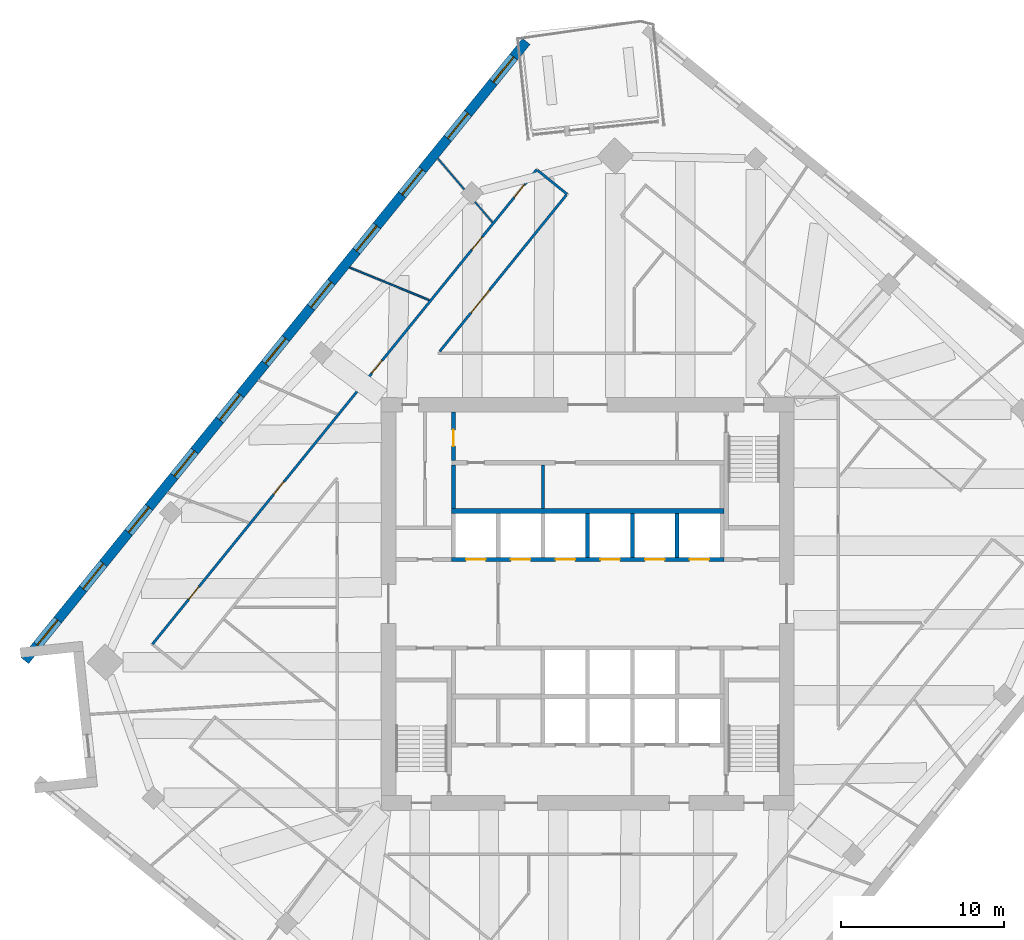
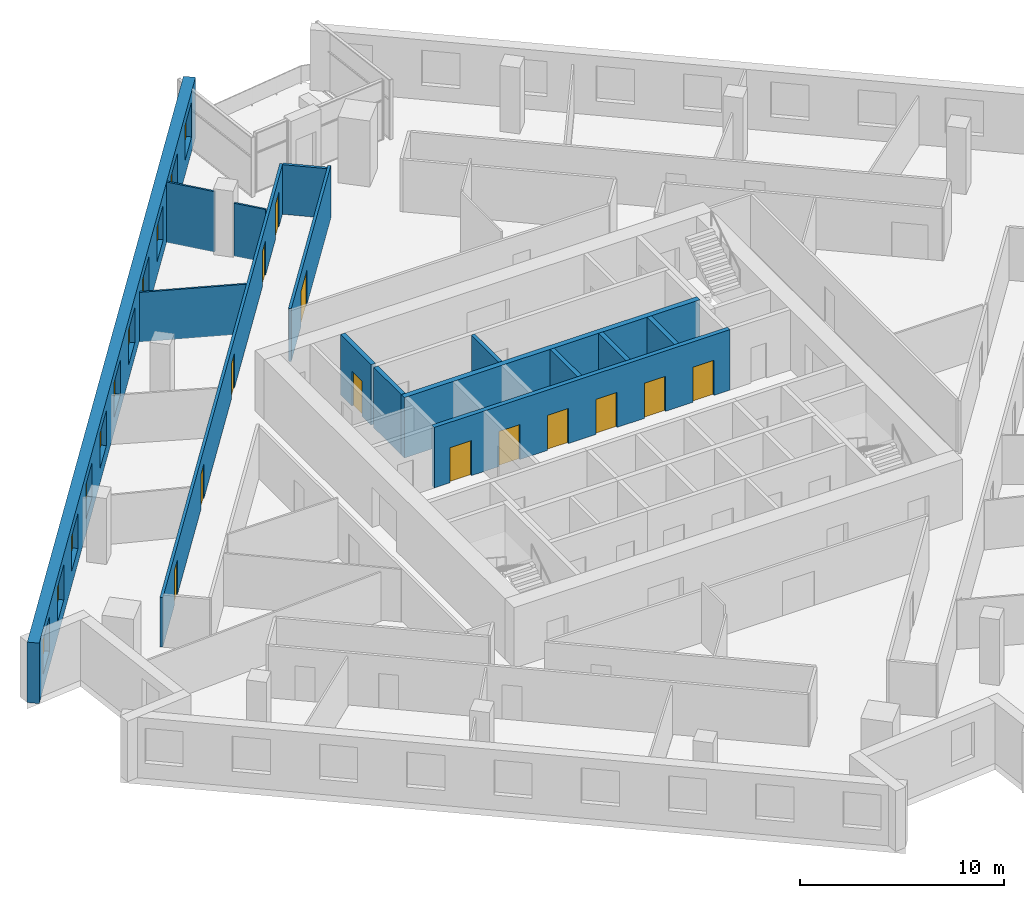
# One storey, part 10 of 14: 15 walls, 13 doors, 11 windows, 24 openings.
"""IFC4 building model written with IfcOpenShell, lengths in metres."""

from ifc_helpers import new_model, si_unit, direction, frame, frame_2d, origin, place, context, subcontext, project, spatial, rectangle, extrude, material, layer, layer_set, type_object, element, fill, save


model = new_model("IFC4")

# Units and contexts
model_context = context("Model", 3, precision=1e-05, world=origin(), true_north=direction((0.0, 1.0)))
body_context = subcontext(model_context, "Body", "Model", "MODEL_VIEW")
ifc_project = project(units=[si_unit("LENGTHUNIT", "METRE"), si_unit("AREAUNIT", "SQUARE_METRE"), si_unit("VOLUMEUNIT", "CUBIC_METRE"), si_unit("PLANEANGLEUNIT", "RADIAN"), si_unit("MASSUNIT", "GRAM", prefix="KILO")], contexts=[model_context])

# Site, building, storey
site_placement = place(None, origin())
site = spatial("IfcSite", under=ifc_project, at=site_placement, CompositionType="ELEMENT")
building_placement = place(site_placement, origin())
building = spatial("IfcBuilding", under=site, at=building_placement, Name="Dilmun Exchange Tower", CompositionType="ELEMENT")
storey_placement = place(building_placement, frame((0.0, 0.0, 229.300048828125)))
storey = spatial("IfcBuildingStorey", under=building, at=storey_placement, Name="L54", CompositionType="ELEMENT", Elevation=229.300048828125)

# Walls
ifc_material_1 = material(Name="Concrete C40/50", Category="concrete")
ifc_layer_1 = layer(ifc_material_1, 0.199951171875)
ifc_layer_set_1 = layer_set([ifc_layer_1], Name="Concrete C40/50")
wall_type_1 = type_object("IfcWallType", Name="Core partition wall 200", PredefinedType="PARTITIONING", material=ifc_layer_set_1)
wall_1_placement = place(storey_placement, frame((-2.75, 5.85498046875, 0.0), z_axis=(0.0, 0.0, 1.0), x_axis=(0.0, 1.0, 0.0)))
element("IfcWall", 1, at=wall_1_placement, inside=storey, type_object=wall_type_1, Name="L54 core partition wall 16", PredefinedType="PARTITIONING", context=body_context, shape_type="SweptSolid", body=[
    extrude(rectangle(XDim=2.68994140625, YDim=0.199951171875, at=frame_2d((1.344970703125, 0.0))), origin(), (0.0, 0.0, 1.0), 3.619873046875),
])
ifc_layer_2 = layer(ifc_material_1, 0.25)
ifc_layer_set_2 = layer_set([ifc_layer_2], Name="Concrete C40/50")
wall_type_2 = type_object("IfcWallType", Name="Core partition wall 250", PredefinedType="PARTITIONING", material=ifc_layer_set_2)
wall_2_placement = place(storey_placement, frame((-8.25, 5.85498046875, 0.0), z_axis=(0.0, 0.0, 1.0), x_axis=(0.0, 1.0, 0.0)))
element("IfcWall", 2, at=wall_2_placement, inside=storey, type_object=wall_type_2, Name="L54 core partition wall 15", PredefinedType="PARTITIONING", context=body_context, shape_type="SweptSolid", body=[
    extrude(rectangle(XDim=2.68994140625, YDim=0.25, at=frame_2d((1.344970703125, 0.0))), origin(), (0.0, 0.0, 1.0), 3.619873046875),
])

# Wall, opening, door
wall_3_placement = place(storey_placement, frame((-8.25, 8.804931640625, 0.0), z_axis=(0.0, 0.0, 1.0), x_axis=(0.0, 1.0, 0.0)))
wall_3 = element("IfcWall", 3, at=wall_3_placement, inside=storey, type_object=wall_type_2, Name="L54 core partition wall 19", PredefinedType="PARTITIONING", context=body_context, shape_type="SweptSolid", body=[
    extrude(rectangle(XDim=2.989990234375, YDim=0.25, at=frame_2d((1.4951171875, 0.0))), origin(), (0.0, 0.0, 1.0), 3.619873046875),
])
opening_1_placement = place(wall_3_placement, frame((0.89501953125, 0.0, 0.0)))
opening_1 = element("IfcOpeningElement", 4, at=opening_1_placement, cuts=wall_3, Name="Opening CD4", PredefinedType="OPENING", context=body_context, shape_type="SweptSolid", body=[
    extrude(rectangle(XDim=1.0, YDim=2.10009765625, at=frame_2d((0.5, 1.050048828125))), frame((0.0, 0.135009765625, 0.0), z_axis=(0.0, -1.0, 0.0), x_axis=(1.0, 0.0, 0.0)), (0.0, 0.0, 1.0), 0.27001953125),
])
ifc_material_2 = material(Name="Fire-rated steel door set", Category="steel")
door_type_1 = type_object("IfcDoorType", Name="Core room door 1000x2100", OperationType="SINGLE_SWING_LEFT", PredefinedType="DOOR", material=ifc_material_2)
door_1_placement = place(opening_1_placement, origin())
door_1 = element("IfcDoor", 5, at=door_1_placement, inside=storey, type_object=door_type_1, Name="L54 door Security room", OperationType="SINGLE_SWING_LEFT", OverallHeight=2.10009765625, OverallWidth=1.0, PredefinedType="DOOR", context=body_context, shape_type="SweptSolid", body=[
    extrude(rectangle(XDim=1.0, YDim=2.10009765625, at=frame_2d((0.5, 1.050048828125))), frame((0.0, 0.02490234375, 0.0), z_axis=(0.0, -1.0, 0.0), x_axis=(1.0, 0.0, 0.0)), (0.0, 0.0, 1.0), 0.050048828125),
])
fill(opening_1, door_1)

# Wall, openings, doors
ifc_material_3 = material(Name="Corridor wall 150")
ifc_layer_3 = layer(ifc_material_3, 0.14990234375)
ifc_layer_set_3 = layer_set([ifc_layer_3], Name="Corridor wall 150")
wall_type_3 = type_object("IfcWallType", Name="Corridor wall 150", PredefinedType="PARTITIONING", material=ifc_layer_set_3)
wall_4_placement = place(storey_placement, frame((-26.76904296875, -2.487060546875, 0.0), z_axis=(0.0, 0.0, 1.0), x_axis=(0.629320703929, 0.777145708092, 0.0)))
wall_4 = element("IfcWall", 6, at=wall_4_placement, inside=storey, type_object=wall_type_3, Name="Corridor wall", PredefinedType="PARTITIONING", context=body_context, shape_type="SweptSolid", body=[
    extrude(rectangle(XDim=37.557861328125, YDim=0.14990234375, at=frame_2d((18.77880859375, 0.0))), origin(), (0.0, 0.0, 1.0), 2.969970703125),
])
opening_2_placement = place(wall_4_placement, frame((3.550048828125, 0.0, 0.0)))
opening_2 = element("IfcOpeningElement", 7, at=opening_2_placement, cuts=wall_4, Name="Opening TF53-D01", PredefinedType="OPENING", context=body_context, shape_type="SweptSolid", body=[
    extrude(rectangle(XDim=1.0, YDim=2.10009765625, at=frame_2d((0.5, 1.050048828125))), frame((0.0, 0.0849609375, 0.0), z_axis=(0.0, -1.0, 0.0), x_axis=(1.0, 0.0, 0.0)), (0.0, 0.0, 1.0), 0.169921875),
])
opening_3_placement = place(wall_4_placement, frame((11.86181640625, 0.0, 0.0)))
opening_3 = element("IfcOpeningElement", 8, at=opening_3_placement, cuts=wall_4, Name="Opening TF53-D04", PredefinedType="OPENING", context=body_context, shape_type="SweptSolid", body=[
    extrude(rectangle(XDim=1.0, YDim=2.10009765625, at=frame_2d((0.5, 1.050048828125))), frame((0.0, 0.0849609375, 0.0), z_axis=(0.0, -1.0, 0.0), x_axis=(1.0, 0.0, 0.0)), (0.0, 0.0, 1.0), 0.169921875),
])
opening_4_placement = place(wall_4_placement, frame((21.451904296875, 0.0, 0.0)))
opening_4 = element("IfcOpeningElement", 9, at=opening_4_placement, cuts=wall_4, Name="Opening TF53-D07", PredefinedType="OPENING", context=body_context, shape_type="SweptSolid", body=[
    extrude(rectangle(XDim=1.0, YDim=2.10009765625, at=frame_2d((0.5, 1.050048828125))), frame((0.0, 0.0849609375, 0.0), z_axis=(0.0, -1.0, 0.0), x_axis=(1.0, 0.0, 0.0)), (0.0, 0.0, 1.0), 0.169921875),
])
opening_5_placement = place(wall_4_placement, frame((31.223388671875, 0.0, 0.0)))
opening_5 = element("IfcOpeningElement", 10, at=opening_5_placement, cuts=wall_4, Name="Opening TF53-D09", PredefinedType="OPENING", context=body_context, shape_type="SweptSolid", body=[
    extrude(rectangle(XDim=1.0, YDim=2.10009765625, at=frame_2d((0.5, 1.050048828125))), frame((0.0, 0.0849609375, 0.0), z_axis=(0.0, -1.0, 0.0), x_axis=(1.0, 0.0, 0.0)), (0.0, 0.0, 1.0), 0.169921875),
])
opening_6_placement = place(wall_4_placement, frame((35.359375, 0.0, 0.0)))
opening_6 = element("IfcOpeningElement", 11, at=opening_6_placement, cuts=wall_4, Name="Opening TF53-D14", PredefinedType="OPENING", context=body_context, shape_type="SweptSolid", body=[
    extrude(rectangle(XDim=1.0, YDim=2.10009765625, at=frame_2d((0.5, 1.050048828125))), frame((0.0, 0.0849609375, 0.0), z_axis=(0.0, -1.0, 0.0), x_axis=(1.0, 0.0, 0.0)), (0.0, 0.0, 1.0), 0.169921875),
])
ifc_material_4 = material(Name="Fire door 1000 x 2100")
door_type_2 = type_object("IfcDoorType", Name="Fire door 1000 x 2100", OperationType="NOTDEFINED", PredefinedType="DOOR", material=ifc_material_4)
door_2_placement = place(opening_2_placement, origin())
door_2 = element("IfcDoor", 12, at=door_2_placement, inside=storey, type_object=door_type_2, Name="Door TF53-D01", OperationType="SINGLE_SWING_RIGHT", OverallHeight=2.10009765625, OverallWidth=1.0, PredefinedType="DOOR", context=body_context, shape_type="SweptSolid", body=[
    extrude(rectangle(XDim=1.0, YDim=2.10009765625, at=frame_2d((0.5, 1.050048828125))), frame((0.0, 0.02490234375, 0.0), z_axis=(0.0, -1.0, 0.0), x_axis=(1.0, 0.0, 0.0)), (0.0, 0.0, 1.0), 0.050048828125),
])
fill(opening_2, door_2)
door_3_placement = place(opening_3_placement, origin())
door_3 = element("IfcDoor", 13, at=door_3_placement, inside=storey, type_object=door_type_2, Name="Door TF53-D04", OperationType="SINGLE_SWING_LEFT", OverallHeight=2.10009765625, OverallWidth=1.0, PredefinedType="DOOR", context=body_context, shape_type="SweptSolid", body=[
    extrude(rectangle(XDim=1.0, YDim=2.10009765625, at=frame_2d((0.5, 1.050048828125))), frame((0.0, 0.02490234375, 0.0), z_axis=(0.0, -1.0, 0.0), x_axis=(1.0, 0.0, 0.0)), (0.0, 0.0, 1.0), 0.050048828125),
])
fill(opening_3, door_3)
door_4_placement = place(opening_4_placement, origin())
door_4 = element("IfcDoor", 14, at=door_4_placement, inside=storey, type_object=door_type_2, Name="Door TF53-D07", OperationType="SINGLE_SWING_RIGHT", OverallHeight=2.10009765625, OverallWidth=1.0, PredefinedType="DOOR", context=body_context, shape_type="SweptSolid", body=[
    extrude(rectangle(XDim=1.0, YDim=2.10009765625, at=frame_2d((0.5, 1.050048828125))), frame((0.0, 0.02490234375, 0.0), z_axis=(0.0, -1.0, 0.0), x_axis=(1.0, 0.0, 0.0)), (0.0, 0.0, 1.0), 0.050048828125),
])
fill(opening_4, door_4)
door_5_placement = place(opening_5_placement, origin())
door_5 = element("IfcDoor", 15, at=door_5_placement, inside=storey, type_object=door_type_2, Name="Door TF53-D09", OperationType="SINGLE_SWING_RIGHT", OverallHeight=2.10009765625, OverallWidth=1.0, PredefinedType="DOOR", context=body_context, shape_type="SweptSolid", body=[
    extrude(rectangle(XDim=1.0, YDim=2.10009765625, at=frame_2d((0.5, 1.050048828125))), frame((0.0, 0.02490234375, 0.0), z_axis=(0.0, -1.0, 0.0), x_axis=(1.0, 0.0, 0.0)), (0.0, 0.0, 1.0), 0.050048828125),
])
fill(opening_5, door_5)
door_6_placement = place(opening_6_placement, origin())
door_6 = element("IfcDoor", 16, at=door_6_placement, inside=storey, type_object=door_type_2, Name="Door TF53-D14", OperationType="SINGLE_SWING_RIGHT", OverallHeight=2.10009765625, OverallWidth=1.0, PredefinedType="DOOR", context=body_context, shape_type="SweptSolid", body=[
    extrude(rectangle(XDim=1.0, YDim=2.10009765625, at=frame_2d((0.5, 1.050048828125))), frame((0.0, 0.02490234375, 0.0), z_axis=(0.0, -1.0, 0.0), x_axis=(1.0, 0.0, 0.0)), (0.0, 0.0, 1.0), 0.050048828125),
])
fill(opening_6, door_6)

# Wall, opening, door
wall_5_placement = place(storey_placement, frame((-9.09716796875, 15.522216796875, 0.0), z_axis=(0.0, 0.0, 1.0), x_axis=(0.629294773149, 0.777166705725, 0.0)))
wall_5 = element("IfcWall", 17, at=wall_5_placement, inside=storey, type_object=wall_type_3, Name="Corridor wall", PredefinedType="PARTITIONING", context=body_context, shape_type="SweptSolid", body=[
    extrude(rectangle(XDim=12.3662109375, YDim=0.14990234375, at=frame_2d((6.18310546875, 0.0))), origin(), (0.0, 0.0, 1.0), 3.169921875),
])
opening_7_placement = place(wall_5_placement, frame((3.050048828125, 0.0, 0.0)))
opening_7 = element("IfcOpeningElement", 18, at=opening_7_placement, cuts=wall_5, Name="Opening TF53-D13", PredefinedType="OPENING", context=body_context, shape_type="SweptSolid", body=[
    extrude(rectangle(XDim=1.800048828125, YDim=2.10009765625, at=frame_2d((0.89990234375, 1.050048828125))), frame((0.0, 0.0849609375, 0.0), z_axis=(0.0, -1.0, 0.0), x_axis=(1.0, 0.0, 0.0)), (0.0, 0.0, 1.0), 0.169921875),
])
ifc_material_5 = material(Name="Fire door pair 1800 x 2100")
door_type_3 = type_object("IfcDoorType", Name="Fire door pair 1800 x 2100", OperationType="NOTDEFINED", PredefinedType="DOOR", material=ifc_material_5)
door_7_placement = place(opening_7_placement, frame((1.800048828125, 0.0, 0.0), z_axis=(0.0, 0.0, 1.0), x_axis=(-1.0, 0.0, 0.0)))
door_7 = element("IfcDoor", 19, at=door_7_placement, inside=storey, type_object=door_type_3, Name="Door TF53-D13", OperationType="DOUBLE_DOOR_SINGLE_SWING", OverallHeight=2.10009765625, OverallWidth=1.800048828125, PredefinedType="DOOR", context=body_context, shape_type="SweptSolid", body=[
    extrude(rectangle(XDim=1.800048828125, YDim=2.10009765625, at=frame_2d((0.89990234375, 1.050048828125))), frame((0.0, 0.02490234375, 0.0), z_axis=(0.0, -1.0, 0.0), x_axis=(1.0, 0.0, 0.0)), (0.0, 0.0, 1.0), 0.050048828125),
])
fill(opening_7, door_7)

# Walls
wall_6_placement = place(storey_placement, frame((-3.07470703125, 26.65380859375, 0.0), z_axis=(0.0, 0.0, 1.0), x_axis=(0.777166601342, -0.62929490206, 0.0)))
element("IfcWall", 20, at=wall_6_placement, inside=storey, type_object=wall_type_3, Name="Corridor wall", PredefinedType="PARTITIONING", context=body_context, shape_type="SweptSolid", body=[
    extrude(rectangle(XDim=2.32470703125, YDim=0.14990234375, at=frame_2d((1.162353515625, 0.0))), origin(), (0.0, 0.0, 1.0), 2.969970703125),
])
ifc_layer_4 = layer(ifc_material_1, 0.300048828125)
ifc_layer_set_4 = layer_set([ifc_layer_4], Name="Concrete C40/50")
wall_type_4 = type_object("IfcWallType", Name="Lift shaft shared wall 300", PredefinedType="SOLIDWALL", material=ifc_layer_set_4)
wall_7_placement = place(storey_placement, frame((-8.375, 5.699951171875, 0.0), z_axis=(0.0, 0.0, 1.0), x_axis=(1.0, 0.0, 0.0)))
element("IfcWall", 21, at=wall_7_placement, inside=storey, type_object=wall_type_4, Name="L54 lift shaft rear wall N", PredefinedType="SOLIDWALL", context=body_context, shape_type="SweptSolid", body=[
    extrude(rectangle(XDim=16.75, YDim=0.300048828125, at=frame_2d((8.375, 0.0))), origin(), (0.0, 0.0, 1.0), 3.619873046875),
])

# Wall, openings, doors
ifc_layer_5 = layer(ifc_material_1, 0.25)
ifc_layer_set_5 = layer_set([ifc_layer_5], Name="Concrete C40/50")
wall_type_5 = type_object("IfcWallType", Name="Lift shaft wall 250", PredefinedType="SOLIDWALL", material=ifc_layer_set_5)
wall_8_placement = place(storey_placement, frame((-8.375, 2.72509765625, 0.0), z_axis=(0.0, 0.0, 1.0), x_axis=(1.0, 0.0, 0.0)))
wall_8 = element("IfcWall", 22, at=wall_8_placement, inside=storey, type_object=wall_type_5, Name="L54 lift shaft front wall N1", PredefinedType="SOLIDWALL", context=body_context, shape_type="SweptSolid", body=[
    extrude(rectangle(XDim=16.75, YDim=0.25, at=frame_2d((8.375, 0.0))), origin(), (0.0, 0.0, 1.0), 3.619873046875),
])
opening_8_placement = place(wall_8_placement, frame((0.89990234375, 0.0, 0.0)))
opening_8 = element("IfcOpeningElement", 23, at=opening_8_placement, cuts=wall_8, Name="Opening LD", PredefinedType="OPENING", context=body_context, shape_type="SweptSolid", body=[
    extrude(rectangle(XDim=1.199951171875, YDim=2.10009765625, at=frame_2d((0.60009765625, 1.050048828125))), frame((0.0, 0.135009765625, 0.0), z_axis=(0.0, -1.0, 0.0), x_axis=(1.0, 0.0, 0.0)), (0.0, 0.0, 1.0), 0.27001953125),
])
opening_9_placement = place(wall_8_placement, frame((3.64990234375, 0.0, 0.0)))
opening_9 = element("IfcOpeningElement", 24, at=opening_9_placement, cuts=wall_8, Name="Opening LD", PredefinedType="OPENING", context=body_context, shape_type="SweptSolid", body=[
    extrude(rectangle(XDim=1.199951171875, YDim=2.10009765625, at=frame_2d((0.60009765625, 1.050048828125))), frame((0.0, 0.135009765625, 0.0), z_axis=(0.0, -1.0, 0.0), x_axis=(1.0, 0.0, 0.0)), (0.0, 0.0, 1.0), 0.27001953125),
])
opening_10_placement = place(wall_8_placement, frame((6.39990234375, 0.0, 0.0)))
opening_10 = element("IfcOpeningElement", 25, at=opening_10_placement, cuts=wall_8, Name="Opening LD", PredefinedType="OPENING", context=body_context, shape_type="SweptSolid", body=[
    extrude(rectangle(XDim=1.199951171875, YDim=2.10009765625, at=frame_2d((0.60009765625, 1.050048828125))), frame((0.0, 0.135009765625, 0.0), z_axis=(0.0, -1.0, 0.0), x_axis=(1.0, 0.0, 0.0)), (0.0, 0.0, 1.0), 0.27001953125),
])
opening_11_placement = place(wall_8_placement, frame((9.14990234375, 0.0, 0.0)))
opening_11 = element("IfcOpeningElement", 26, at=opening_11_placement, cuts=wall_8, Name="Opening LD", PredefinedType="OPENING", context=body_context, shape_type="SweptSolid", body=[
    extrude(rectangle(XDim=1.199951171875, YDim=2.10009765625, at=frame_2d((0.60009765625, 1.050048828125))), frame((0.0, 0.135009765625, 0.0), z_axis=(0.0, -1.0, 0.0), x_axis=(1.0, 0.0, 0.0)), (0.0, 0.0, 1.0), 0.27001953125),
])
opening_12_placement = place(wall_8_placement, frame((11.89990234375, 0.0, 0.0)))
opening_12 = element("IfcOpeningElement", 27, at=opening_12_placement, cuts=wall_8, Name="Opening LD", PredefinedType="OPENING", context=body_context, shape_type="SweptSolid", body=[
    extrude(rectangle(XDim=1.199951171875, YDim=2.10009765625, at=frame_2d((0.60009765625, 1.050048828125))), frame((0.0, 0.135009765625, 0.0), z_axis=(0.0, -1.0, 0.0), x_axis=(1.0, 0.0, 0.0)), (0.0, 0.0, 1.0), 0.27001953125),
])
opening_13_placement = place(wall_8_placement, frame((14.64990234375, 0.0, 0.0)))
opening_13 = element("IfcOpeningElement", 28, at=opening_13_placement, cuts=wall_8, Name="Opening LD", PredefinedType="OPENING", context=body_context, shape_type="SweptSolid", body=[
    extrude(rectangle(XDim=1.199951171875, YDim=2.10009765625, at=frame_2d((0.60009765625, 1.050048828125))), frame((0.0, 0.135009765625, 0.0), z_axis=(0.0, -1.0, 0.0), x_axis=(1.0, 0.0, 0.0)), (0.0, 0.0, 1.0), 0.27001953125),
])
door_type_4 = type_object("IfcDoorType", Name="Lift landing door 1200x2100", OperationType="DOUBLE_DOOR_SLIDING", PredefinedType="DOOR", material=ifc_material_2)
door_8_placement = place(opening_8_placement, origin())
door_8 = element("IfcDoor", 29, at=door_8_placement, inside=storey, type_object=door_type_4, Name="L54 landing door MR1", OperationType="DOUBLE_DOOR_SLIDING", OverallHeight=2.10009765625, OverallWidth=1.199951171875, PredefinedType="DOOR", context=body_context, shape_type="SweptSolid", body=[
    extrude(rectangle(XDim=1.199951171875, YDim=2.10009765625, at=frame_2d((0.60009765625, 1.050048828125))), frame((0.0, 0.02490234375, 0.0), z_axis=(0.0, -1.0, 0.0), x_axis=(1.0, 0.0, 0.0)), (0.0, 0.0, 1.0), 0.050048828125),
])
fill(opening_8, door_8)
door_9_placement = place(opening_9_placement, origin())
door_9 = element("IfcDoor", 30, at=door_9_placement, inside=storey, type_object=door_type_4, Name="L54 landing door MR2", OperationType="DOUBLE_DOOR_SLIDING", OverallHeight=2.10009765625, OverallWidth=1.199951171875, PredefinedType="DOOR", context=body_context, shape_type="SweptSolid", body=[
    extrude(rectangle(XDim=1.199951171875, YDim=2.10009765625, at=frame_2d((0.60009765625, 1.050048828125))), frame((0.0, 0.02490234375, 0.0), z_axis=(0.0, -1.0, 0.0), x_axis=(1.0, 0.0, 0.0)), (0.0, 0.0, 1.0), 0.050048828125),
])
fill(opening_9, door_9)
door_10_placement = place(opening_10_placement, origin())
door_10 = element("IfcDoor", 31, at=door_10_placement, inside=storey, type_object=door_type_4, Name="L54 landing door MR3", OperationType="DOUBLE_DOOR_SLIDING", OverallHeight=2.10009765625, OverallWidth=1.199951171875, PredefinedType="DOOR", context=body_context, shape_type="SweptSolid", body=[
    extrude(rectangle(XDim=1.199951171875, YDim=2.10009765625, at=frame_2d((0.60009765625, 1.050048828125))), frame((0.0, 0.02490234375, 0.0), z_axis=(0.0, -1.0, 0.0), x_axis=(1.0, 0.0, 0.0)), (0.0, 0.0, 1.0), 0.050048828125),
])
fill(opening_10, door_10)
door_11_placement = place(opening_11_placement, origin())
door_11 = element("IfcDoor", 32, at=door_11_placement, inside=storey, type_object=door_type_4, Name="L54 landing door MR4", OperationType="DOUBLE_DOOR_SLIDING", OverallHeight=2.10009765625, OverallWidth=1.199951171875, PredefinedType="DOOR", context=body_context, shape_type="SweptSolid", body=[
    extrude(rectangle(XDim=1.199951171875, YDim=2.10009765625, at=frame_2d((0.60009765625, 1.050048828125))), frame((0.0, 0.02490234375, 0.0), z_axis=(0.0, -1.0, 0.0), x_axis=(1.0, 0.0, 0.0)), (0.0, 0.0, 1.0), 0.050048828125),
])
fill(opening_11, door_11)
door_12_placement = place(opening_12_placement, origin())
door_12 = element("IfcDoor", 33, at=door_12_placement, inside=storey, type_object=door_type_4, Name="L54 landing door MR5", OperationType="DOUBLE_DOOR_SLIDING", OverallHeight=2.10009765625, OverallWidth=1.199951171875, PredefinedType="DOOR", context=body_context, shape_type="SweptSolid", body=[
    extrude(rectangle(XDim=1.199951171875, YDim=2.10009765625, at=frame_2d((0.60009765625, 1.050048828125))), frame((0.0, 0.02490234375, 0.0), z_axis=(0.0, -1.0, 0.0), x_axis=(1.0, 0.0, 0.0)), (0.0, 0.0, 1.0), 0.050048828125),
])
fill(opening_12, door_12)
door_13_placement = place(opening_13_placement, origin())
door_13 = element("IfcDoor", 34, at=door_13_placement, inside=storey, type_object=door_type_4, Name="L54 landing door MR6", OperationType="DOUBLE_DOOR_SLIDING", OverallHeight=2.10009765625, OverallWidth=1.199951171875, PredefinedType="DOOR", context=body_context, shape_type="SweptSolid", body=[
    extrude(rectangle(XDim=1.199951171875, YDim=2.10009765625, at=frame_2d((0.60009765625, 1.050048828125))), frame((0.0, 0.02490234375, 0.0), z_axis=(0.0, -1.0, 0.0), x_axis=(1.0, 0.0, 0.0)), (0.0, 0.0, 1.0), 0.050048828125),
])
fill(opening_13, door_13)

# Walls
for number, where, z_axis, x_axis, name in (
    (35, (0.0, 2.85009765625, 0.0), (0.0, 0.0, 1.0), (0.0, 1.0, 0.0), "L54 lift shaft divider N13"),
    (36, (2.75, 2.85009765625, 0.0), (0.0, 0.0, 1.0), (0.0, 1.0, 0.0), "L54 lift shaft divider N14"),
    (37, (5.5, 2.85009765625, 0.0), (0.0, 0.0, 1.0), (0.0, 1.0, 0.0), "L54 lift shaft divider N15"),
):
    element("IfcWall", number, at=place(storey_placement, frame(where, z_axis=z_axis, x_axis=x_axis)), inside=storey, type_object=wall_type_5, Name=name, PredefinedType="SOLIDWALL", context=body_context, shape_type="SweptSolid", body=[
        extrude(rectangle(XDim=2.699951171875, YDim=0.25, at=frame_2d((1.35009765625, 0.0))), origin(), (0.0, 0.0, 1.0), 3.619873046875),
    ])
ifc_material_6 = material(Name="Partition 100")
ifc_layer_6 = layer(ifc_material_6, 0.10009765625)
ifc_layer_set_6 = layer_set([ifc_layer_6], Name="Partition 100")
wall_type_6 = type_object("IfcWallType", Name="Partition 100", PredefinedType="PARTITIONING", material=ifc_layer_set_6)
wall_9_placement = place(storey_placement, frame((-14.64501953125, 20.683837890625, 0.0), z_axis=(0.0, 0.0, 1.0), x_axis=(0.925219687535, -0.379431851321, 0.0)))
element("IfcWall", 38, at=wall_9_placement, inside=storey, type_object=wall_type_6, Name="Partition", PredefinedType="PARTITIONING", context=body_context, shape_type="SweptSolid", body=[
    extrude(rectangle(XDim=5.29345703125, YDim=0.10009765625, at=frame_2d((2.646728515625, 0.0))), origin(), (0.0, 0.0, 1.0), 2.969970703125),
])
wall_10_placement = place(storey_placement, frame((-9.217041015625, 27.38671875, 0.0), z_axis=(0.0, 0.0, 1.0), x_axis=(0.649924567032, -0.75999872182, 0.0)))
element("IfcWall", 39, at=wall_10_placement, inside=storey, type_object=wall_type_6, Name="Partition", PredefinedType="PARTITIONING", context=body_context, shape_type="SweptSolid", body=[
    extrude(rectangle(XDim=2.50634765625, YDim=0.10009765625, at=frame_2d((1.253173828125, 0.0))), origin(), (0.0, 0.0, 1.0), 3.619873046875),
])
wall_11_placement = place(storey_placement, frame((-6.9345703125, 24.71728515625, 0.0), z_axis=(0.0, 0.0, 1.0), x_axis=(0.650047373703, -0.759893684631, 0.0)))
element("IfcWall", 40, at=wall_11_placement, inside=storey, type_object=wall_type_6, Name="Partition", PredefinedType="PARTITIONING", context=body_context, shape_type="SweptSolid", body=[
    extrude(rectangle(XDim=1.649169921875, YDim=0.10009765625, at=frame_2d((0.82470703125, 0.0))), origin(), (0.0, 0.0, 1.0), 3.169921875),
])

# Wall, openings, windows
ifc_material_7 = material(Name="Precast concrete C50/60", Category="concrete")
ifc_layer_7 = layer(ifc_material_7, 0.60009765625)
ifc_layer_set_7 = layer_set([ifc_layer_7], Name="Precast concrete C50/60")
wall_type_7 = type_object("IfcWallType", Name="Precast stone-clad wall 600", PredefinedType="STANDARD", material=ifc_layer_set_7)
wall_12_placement = place(storey_placement, frame((-3.777099609375, 34.584228515625, 0.0), z_axis=(0.0, 0.0, 1.0), x_axis=(-0.629323778295, -0.777143218508, 0.0)))
wall_12 = element("IfcWall", 41, at=wall_12_placement, inside=storey, type_object=wall_type_7, Name="Facade wall L54-03", PredefinedType="STANDARD", context=body_context, shape_type="SweptSolid", body=[
    extrude(rectangle(XDim=49.0, YDim=0.60009765625, at=frame_2d((24.5, 0.0))), origin(), (0.0, 0.0, 1.0), 3.619873046875),
])
opening_14_placement = place(wall_12_placement, frame((1.227294921875, 0.0, 0.89990234375)))
opening_14 = element("IfcOpeningElement", 42, at=opening_14_placement, cuts=wall_12, Name="Opening W200-210", PredefinedType="OPENING", context=body_context, shape_type="SweptSolid", body=[
    extrude(rectangle(XDim=2.0, YDim=2.10009765625, at=frame_2d((1.0, 1.050048828125))), frame((0.0, 0.31005859375, 0.0), z_axis=(0.0, -1.0, 0.0), x_axis=(1.0, 0.0, 0.0)), (0.0, 0.0, 1.0), 0.6201171875),
])
opening_15_placement = place(wall_12_placement, frame((5.681884765625, 0.0, 0.89990234375)))
opening_15 = element("IfcOpeningElement", 43, at=opening_15_placement, cuts=wall_12, Name="Opening W200-210", PredefinedType="OPENING", context=body_context, shape_type="SweptSolid", body=[
    extrude(rectangle(XDim=2.0, YDim=2.10009765625, at=frame_2d((1.0, 1.050048828125))), frame((0.0, 0.31005859375, 0.0), z_axis=(0.0, -1.0, 0.0), x_axis=(1.0, 0.0, 0.0)), (0.0, 0.0, 1.0), 0.6201171875),
])
opening_16_placement = place(wall_12_placement, frame((10.136474609375, 0.0, 0.89990234375)))
opening_16 = element("IfcOpeningElement", 44, at=opening_16_placement, cuts=wall_12, Name="Opening W200-210", PredefinedType="OPENING", context=body_context, shape_type="SweptSolid", body=[
    extrude(rectangle(XDim=2.0, YDim=2.10009765625, at=frame_2d((1.0, 1.050048828125))), frame((0.0, 0.31005859375, 0.0), z_axis=(0.0, -1.0, 0.0), x_axis=(1.0, 0.0, 0.0)), (0.0, 0.0, 1.0), 0.6201171875),
])
opening_17_placement = place(wall_12_placement, frame((14.5908203125, 0.0, 0.89990234375)))
opening_17 = element("IfcOpeningElement", 45, at=opening_17_placement, cuts=wall_12, Name="Opening W200-210", PredefinedType="OPENING", context=body_context, shape_type="SweptSolid", body=[
    extrude(rectangle(XDim=2.0, YDim=2.10009765625, at=frame_2d((1.0, 1.050048828125))), frame((0.0, 0.31005859375, 0.0), z_axis=(0.0, -1.0, 0.0), x_axis=(1.0, 0.0, 0.0)), (0.0, 0.0, 1.0), 0.6201171875),
])
opening_18_placement = place(wall_12_placement, frame((19.04541015625, 0.0, 0.89990234375)))
opening_18 = element("IfcOpeningElement", 46, at=opening_18_placement, cuts=wall_12, Name="Opening W200-210", PredefinedType="OPENING", context=body_context, shape_type="SweptSolid", body=[
    extrude(rectangle(XDim=2.0, YDim=2.10009765625, at=frame_2d((1.0, 1.050048828125))), frame((0.0, 0.31005859375, 0.0), z_axis=(0.0, -1.0, 0.0), x_axis=(1.0, 0.0, 0.0)), (0.0, 0.0, 1.0), 0.6201171875),
])
opening_19_placement = place(wall_12_placement, frame((23.5, 0.0, 0.89990234375)))
opening_19 = element("IfcOpeningElement", 47, at=opening_19_placement, cuts=wall_12, Name="Opening W200-210", PredefinedType="OPENING", context=body_context, shape_type="SweptSolid", body=[
    extrude(rectangle(XDim=2.0, YDim=2.10009765625, at=frame_2d((1.0, 1.050048828125))), frame((0.0, 0.31005859375, 0.0), z_axis=(0.0, -1.0, 0.0), x_axis=(1.0, 0.0, 0.0)), (0.0, 0.0, 1.0), 0.6201171875),
])
opening_20_placement = place(wall_12_placement, frame((27.95458984375, 0.0, 0.89990234375)))
opening_20 = element("IfcOpeningElement", 48, at=opening_20_placement, cuts=wall_12, Name="Opening W200-210", PredefinedType="OPENING", context=body_context, shape_type="SweptSolid", body=[
    extrude(rectangle(XDim=2.0, YDim=2.10009765625, at=frame_2d((1.0, 1.050048828125))), frame((0.0, 0.31005859375, 0.0), z_axis=(0.0, -1.0, 0.0), x_axis=(1.0, 0.0, 0.0)), (0.0, 0.0, 1.0), 0.6201171875),
])
opening_21_placement = place(wall_12_placement, frame((32.4091796875, 0.0, 0.89990234375)))
opening_21 = element("IfcOpeningElement", 49, at=opening_21_placement, cuts=wall_12, Name="Opening W200-210", PredefinedType="OPENING", context=body_context, shape_type="SweptSolid", body=[
    extrude(rectangle(XDim=2.0, YDim=2.10009765625, at=frame_2d((1.0, 1.050048828125))), frame((0.0, 0.31005859375, 0.0), z_axis=(0.0, -1.0, 0.0), x_axis=(1.0, 0.0, 0.0)), (0.0, 0.0, 1.0), 0.6201171875),
])
opening_22_placement = place(wall_12_placement, frame((36.863525390625, 0.0, 0.89990234375)))
opening_22 = element("IfcOpeningElement", 50, at=opening_22_placement, cuts=wall_12, Name="Opening W200-210", PredefinedType="OPENING", context=body_context, shape_type="SweptSolid", body=[
    extrude(rectangle(XDim=2.0, YDim=2.10009765625, at=frame_2d((1.0, 1.050048828125))), frame((0.0, 0.31005859375, 0.0), z_axis=(0.0, -1.0, 0.0), x_axis=(1.0, 0.0, 0.0)), (0.0, 0.0, 1.0), 0.6201171875),
])
opening_23_placement = place(wall_12_placement, frame((41.318115234375, 0.0, 0.89990234375)))
opening_23 = element("IfcOpeningElement", 51, at=opening_23_placement, cuts=wall_12, Name="Opening W200-210", PredefinedType="OPENING", context=body_context, shape_type="SweptSolid", body=[
    extrude(rectangle(XDim=2.0, YDim=2.10009765625, at=frame_2d((1.0, 1.050048828125))), frame((0.0, 0.31005859375, 0.0), z_axis=(0.0, -1.0, 0.0), x_axis=(1.0, 0.0, 0.0)), (0.0, 0.0, 1.0), 0.6201171875),
])
opening_24_placement = place(wall_12_placement, frame((45.772705078125, 0.0, 0.89990234375)))
opening_24 = element("IfcOpeningElement", 52, at=opening_24_placement, cuts=wall_12, Name="Opening W200-210", PredefinedType="OPENING", context=body_context, shape_type="SweptSolid", body=[
    extrude(rectangle(XDim=2.0, YDim=2.10009765625, at=frame_2d((1.0, 1.050048828125))), frame((0.0, 0.31005859375, 0.0), z_axis=(0.0, -1.0, 0.0), x_axis=(1.0, 0.0, 0.0)), (0.0, 0.0, 1.0), 0.6201171875),
])
ifc_material_8 = material(Name="Clear low-emissivity glass in aluminium frame", Category="aluminium")
window_type = type_object("IfcWindowType", Name="Punched window 2000 x 2100", PartitioningType="DOUBLE_PANEL_VERTICAL", PredefinedType="WINDOW", material=ifc_material_8)
window_1_placement = place(opening_14_placement, origin())
window_1 = element("IfcWindow", 53, at=window_1_placement, inside=storey, type_object=window_type, Name="Window 4.1", OverallHeight=2.10009765625, OverallWidth=2.0, PartitioningType="SINGLE_PANEL", PredefinedType="WINDOW", context=body_context, shape_type="SweptSolid", body=[
    extrude(rectangle(XDim=2.0, YDim=2.10009765625, at=frame_2d((1.0, 1.050048828125))), frame((0.0, 0.030029296875, 0.0), z_axis=(0.0, -1.0, 0.0), x_axis=(1.0, 0.0, 0.0)), (0.0, 0.0, 1.0), 0.06005859375),
])
fill(opening_14, window_1)
window_2_placement = place(opening_15_placement, origin())
window_2 = element("IfcWindow", 54, at=window_2_placement, inside=storey, type_object=window_type, Name="Window 4.2", OverallHeight=2.10009765625, OverallWidth=2.0, PartitioningType="SINGLE_PANEL", PredefinedType="WINDOW", context=body_context, shape_type="SweptSolid", body=[
    extrude(rectangle(XDim=2.0, YDim=2.10009765625, at=frame_2d((1.0, 1.050048828125))), frame((0.0, 0.030029296875, 0.0), z_axis=(0.0, -1.0, 0.0), x_axis=(1.0, 0.0, 0.0)), (0.0, 0.0, 1.0), 0.06005859375),
])
fill(opening_15, window_2)
window_3_placement = place(opening_16_placement, origin())
window_3 = element("IfcWindow", 55, at=window_3_placement, inside=storey, type_object=window_type, Name="Window 4.3", OverallHeight=2.10009765625, OverallWidth=2.0, PartitioningType="SINGLE_PANEL", PredefinedType="WINDOW", context=body_context, shape_type="SweptSolid", body=[
    extrude(rectangle(XDim=2.0, YDim=2.10009765625, at=frame_2d((1.0, 1.050048828125))), frame((0.0, 0.030029296875, 0.0), z_axis=(0.0, -1.0, 0.0), x_axis=(1.0, 0.0, 0.0)), (0.0, 0.0, 1.0), 0.06005859375),
])
fill(opening_16, window_3)
window_4_placement = place(opening_17_placement, origin())
window_4 = element("IfcWindow", 56, at=window_4_placement, inside=storey, type_object=window_type, Name="Window 4.4", OverallHeight=2.10009765625, OverallWidth=2.0, PartitioningType="SINGLE_PANEL", PredefinedType="WINDOW", context=body_context, shape_type="SweptSolid", body=[
    extrude(rectangle(XDim=2.0, YDim=2.10009765625, at=frame_2d((1.0, 1.050048828125))), frame((0.0, 0.030029296875, 0.0), z_axis=(0.0, -1.0, 0.0), x_axis=(1.0, 0.0, 0.0)), (0.0, 0.0, 1.0), 0.06005859375),
])
fill(opening_17, window_4)
window_5_placement = place(opening_18_placement, origin())
window_5 = element("IfcWindow", 57, at=window_5_placement, inside=storey, type_object=window_type, Name="Window 4.5", OverallHeight=2.10009765625, OverallWidth=2.0, PartitioningType="SINGLE_PANEL", PredefinedType="WINDOW", context=body_context, shape_type="SweptSolid", body=[
    extrude(rectangle(XDim=2.0, YDim=2.10009765625, at=frame_2d((1.0, 1.050048828125))), frame((0.0, 0.030029296875, 0.0), z_axis=(0.0, -1.0, 0.0), x_axis=(1.0, 0.0, 0.0)), (0.0, 0.0, 1.0), 0.06005859375),
])
fill(opening_18, window_5)
window_6_placement = place(opening_19_placement, origin())
window_6 = element("IfcWindow", 58, at=window_6_placement, inside=storey, type_object=window_type, Name="Window 4.6", OverallHeight=2.10009765625, OverallWidth=2.0, PartitioningType="SINGLE_PANEL", PredefinedType="WINDOW", context=body_context, shape_type="SweptSolid", body=[
    extrude(rectangle(XDim=2.0, YDim=2.10009765625, at=frame_2d((1.0, 1.050048828125))), frame((0.0, 0.030029296875, 0.0), z_axis=(0.0, -1.0, 0.0), x_axis=(1.0, 0.0, 0.0)), (0.0, 0.0, 1.0), 0.06005859375),
])
fill(opening_19, window_6)
window_7_placement = place(opening_20_placement, origin())
window_7 = element("IfcWindow", 59, at=window_7_placement, inside=storey, type_object=window_type, Name="Window 4.7", OverallHeight=2.10009765625, OverallWidth=2.0, PartitioningType="SINGLE_PANEL", PredefinedType="WINDOW", context=body_context, shape_type="SweptSolid", body=[
    extrude(rectangle(XDim=2.0, YDim=2.10009765625, at=frame_2d((1.0, 1.050048828125))), frame((0.0, 0.030029296875, 0.0), z_axis=(0.0, -1.0, 0.0), x_axis=(1.0, 0.0, 0.0)), (0.0, 0.0, 1.0), 0.06005859375),
])
fill(opening_20, window_7)
window_8_placement = place(opening_21_placement, origin())
window_8 = element("IfcWindow", 60, at=window_8_placement, inside=storey, type_object=window_type, Name="Window 4.8", OverallHeight=2.10009765625, OverallWidth=2.0, PartitioningType="SINGLE_PANEL", PredefinedType="WINDOW", context=body_context, shape_type="SweptSolid", body=[
    extrude(rectangle(XDim=2.0, YDim=2.10009765625, at=frame_2d((1.0, 1.050048828125))), frame((0.0, 0.030029296875, 0.0), z_axis=(0.0, -1.0, 0.0), x_axis=(1.0, 0.0, 0.0)), (0.0, 0.0, 1.0), 0.06005859375),
])
fill(opening_21, window_8)
window_9_placement = place(opening_22_placement, origin())
window_9 = element("IfcWindow", 61, at=window_9_placement, inside=storey, type_object=window_type, Name="Window 4.9", OverallHeight=2.10009765625, OverallWidth=2.0, PartitioningType="SINGLE_PANEL", PredefinedType="WINDOW", context=body_context, shape_type="SweptSolid", body=[
    extrude(rectangle(XDim=2.0, YDim=2.10009765625, at=frame_2d((1.0, 1.050048828125))), frame((0.0, 0.030029296875, 0.0), z_axis=(0.0, -1.0, 0.0), x_axis=(1.0, 0.0, 0.0)), (0.0, 0.0, 1.0), 0.06005859375),
])
fill(opening_22, window_9)
window_10_placement = place(opening_23_placement, origin())
window_10 = element("IfcWindow", 62, at=window_10_placement, inside=storey, type_object=window_type, Name="Window 4.10", OverallHeight=2.10009765625, OverallWidth=2.0, PartitioningType="SINGLE_PANEL", PredefinedType="WINDOW", context=body_context, shape_type="SweptSolid", body=[
    extrude(rectangle(XDim=2.0, YDim=2.10009765625, at=frame_2d((1.0, 1.050048828125))), frame((0.0, 0.030029296875, 0.0), z_axis=(0.0, -1.0, 0.0), x_axis=(1.0, 0.0, 0.0)), (0.0, 0.0, 1.0), 0.06005859375),
])
fill(opening_23, window_10)
window_11_placement = place(opening_24_placement, origin())
window_11 = element("IfcWindow", 63, at=window_11_placement, inside=storey, type_object=window_type, Name="Window 4.11", OverallHeight=2.10009765625, OverallWidth=2.0, PartitioningType="SINGLE_PANEL", PredefinedType="WINDOW", context=body_context, shape_type="SweptSolid", body=[
    extrude(rectangle(XDim=2.0, YDim=2.10009765625, at=frame_2d((1.0, 1.050048828125))), frame((0.0, 0.030029296875, 0.0), z_axis=(0.0, -1.0, 0.0), x_axis=(1.0, 0.0, 0.0)), (0.0, 0.0, 1.0), 0.06005859375),
])
fill(opening_24, window_11)

save(model, "model.ifc")
